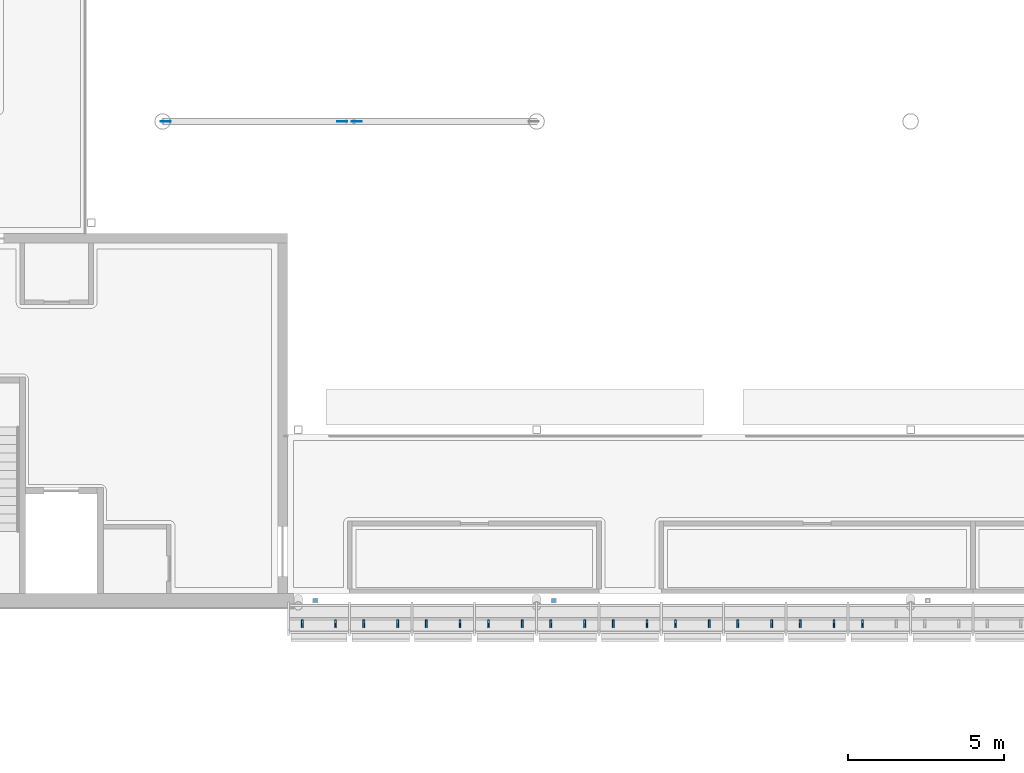
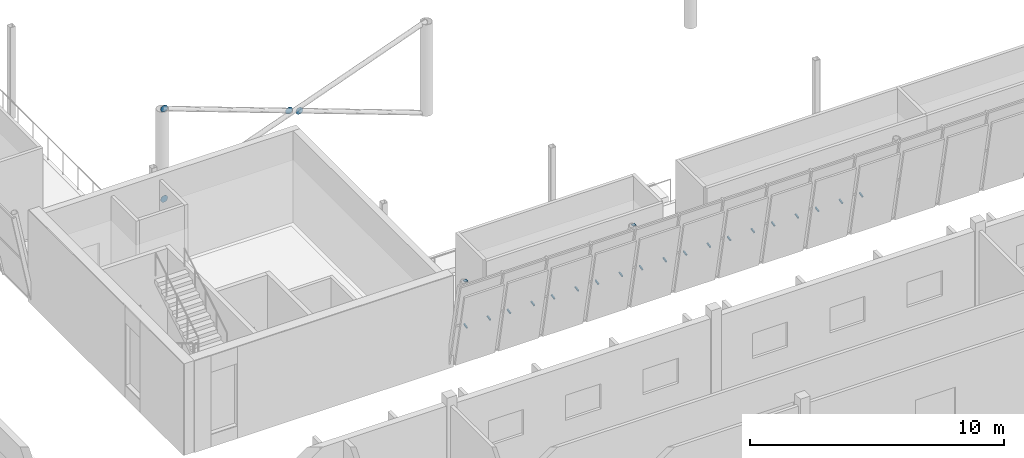
# One storey, part 81 of 115: 25 discrete accessories.
"""IFC4 building model written with IfcOpenShell, lengths in metres."""

from ifc_helpers import new_model, si_unit, direction, frame, origin, origin_2d, place, context, subcontext, project, spatial, rectangle, circle, extrude, material, layer, layer_set, type_object, element, save


model = new_model("IFC4")

# Units and contexts
model_context = context("Model", 3, precision=1e-05, world=origin(), true_north=direction((0.0, 1.0)))
body_context = subcontext(model_context, "Body", "Model", "MODEL_VIEW")
ifc_project = project(units=[si_unit("LENGTHUNIT", "METRE"), si_unit("AREAUNIT", "SQUARE_METRE"), si_unit("VOLUMEUNIT", "CUBIC_METRE"), si_unit("PLANEANGLEUNIT", "RADIAN"), si_unit("MASSUNIT", "GRAM", prefix="KILO")], contexts=[model_context])

# Site, building, storey
site_placement = place(None, origin())
site = spatial("IfcSite", under=ifc_project, at=site_placement, CompositionType="ELEMENT")
building_placement = place(site_placement, origin())
building = spatial("IfcBuilding", under=site, at=building_placement, Name="Windward Yard Aquatics Centre", CompositionType="ELEMENT")
storey_placement = place(building_placement, frame((0.0, 0.0, 5.0)))
storey = spatial("IfcBuildingStorey", under=building, at=storey_placement, Name="L01", CompositionType="ELEMENT", Elevation=5.0)

# Discrete accessories
ifc_material = material(Name="Steel S355", Category="steel")
ifc_layer_1 = layer(ifc_material, 0.010009765625)
ifc_layer_set_1 = layer_set([ifc_layer_1], Name="End cap plate 10 mm RHS152.4x152.4x12.7")
discrete_accessory_type_1 = type_object("IfcDiscreteAccessoryType", Name="End cap plate 10 mm RHS152.4x152.4x12.7", PredefinedType="USERDEFINED", material=ifc_layer_set_1)
for number, where, z_axis, x_axis, name in (
    (1, (72.550048828125, 26.22509765625, 3.742919921875), (0.0, 0.0, 1.0), (1.0, 0.0, 0.0), "End cap"),
    (2, (64.89990234375, 26.22509765625, 3.742919921875), (0.0, 0.0, 1.0), (1.0, 0.0, 0.0), "End cap"),
):
    element("IfcDiscreteAccessory", number, at=place(storey_placement, frame(where, z_axis=z_axis, x_axis=x_axis)), inside=storey, type_object=discrete_accessory_type_1, Name=name, ObjectType="END CAP", PredefinedType="USERDEFINED", context=body_context, shape_type="SweptSolid", body=[
        extrude(rectangle(XDim=0.15234375, YDim=0.15234375, at=origin_2d()), origin(), (0.0, 0.0, 1.0), 0.010009765625),
    ])
ifc_layer_2 = layer(ifc_material, 0.011962890625)
ifc_layer_set_2 = layer_set([ifc_layer_2], Name="Gusset plate 320 mm disc 12 mm")
discrete_accessory_type_2 = type_object("IfcDiscreteAccessoryType", Name="Gusset plate 320 mm disc 12 mm", PredefinedType="USERDEFINED", material=ifc_layer_set_2)
for number, where, z_axis, x_axis, name in (
    (3, (60.093994140625, 41.593994140625, 0.034423828125), (0.0, 1.0, 0.0), (-1.0, 0.0, 0.0), "Gusset plate"),
    (4, (60.093994140625, 41.593994140625, 4.365478515625), (0.0, 1.0, 0.0), (-1.0, 0.0, 0.0), "Gusset plate"),
    (5, (65.765869140625, 41.593994140625, 2.285888671875), (0.0, 1.0, 0.0), (-1.0, 0.0, 0.0), "Gusset plate"),
    (6, (66.234130859375, 41.593994140625, 2.114013671875), (0.0, 1.0, 0.0), (-1.0, 0.0, 0.0), "Gusset plate"),
):
    element("IfcDiscreteAccessory", number, at=place(storey_placement, frame(where, z_axis=z_axis, x_axis=x_axis)), inside=storey, type_object=discrete_accessory_type_2, Name=name, ObjectType="GUSSET PLATE", PredefinedType="USERDEFINED", context=body_context, shape_type="SweptSolid", body=[
        extrude(circle(Radius=0.159912109375, at=origin_2d()), origin(), (0.0, 0.0, 1.0), 0.011962890625),
    ])
for number, where, z_axis, x_axis, name in (
    (7, (64.4833984375, 25.6123046875, 2.193603515625), (0.0, -0.979936662274, -0.199309151649), (1.0, 0.0, 0.0), "Louvre bracket S L01 A1.1"),
    (8, (65.548828125, 25.6123046875, 2.193603515625), (0.0, -0.979936662274, -0.199309151649), (1.0, 0.0, 0.0), "Louvre bracket S L01 A1.2"),
    (9, (66.457763671875, 25.6123046875, 2.193603515625), (0.0, -0.979936662274, -0.199309151649), (1.0, 0.0, 0.0), "Louvre bracket S L01 A2.1"),
    (10, (67.541259765625, 25.6123046875, 2.193603515625), (0.0, -0.979936662274, -0.199309151649), (1.0, 0.0, 0.0), "Louvre bracket S L01 A2.2"),
    (11, (68.45751953125, 25.6123046875, 2.193603515625), (0.0, -0.979936662274, -0.199309151649), (1.0, 0.0, 0.0), "Louvre bracket S L01 A3.1"),
    (12, (69.541015625, 25.6123046875, 2.193603515625), (0.0, -0.979936662274, -0.199309151649), (1.0, 0.0, 0.0), "Louvre bracket S L01 A3.2"),
    (13, (70.457275390625, 25.6123046875, 2.193603515625), (0.0, -0.979936662274, -0.199309151649), (1.0, 0.0, 0.0), "Louvre bracket S L01 A4.1"),
    (14, (71.540771484375, 25.6123046875, 2.193603515625), (0.0, -0.979936662274, -0.199309151649), (1.0, 0.0, 0.0), "Louvre bracket S L01 A4.2"),
    (15, (72.45703125, 25.6123046875, 2.193603515625), (0.0, -0.979936662274, -0.199309151649), (1.0, 0.0, 0.0), "Louvre bracket S L01 A5.1"),
    (16, (73.54052734375, 25.6123046875, 2.193603515625), (0.0, -0.979936662274, -0.199309151649), (1.0, 0.0, 0.0), "Louvre bracket S L01 A5.2"),
    (17, (74.456787109375, 25.6123046875, 2.193603515625), (0.0, -0.979936662274, -0.199309151649), (1.0, 0.0, 0.0), "Louvre bracket S L01 A6.1"),
    (18, (75.540283203125, 25.6123046875, 2.193603515625), (0.0, -0.979936662274, -0.199309151649), (1.0, 0.0, 0.0), "Louvre bracket S L01 A6.2"),
    (19, (76.45654296875, 25.6123046875, 2.193603515625), (0.0, -0.979936662274, -0.199309151649), (1.0, 0.0, 0.0), "Louvre bracket S L01 A7.1"),
    (20, (77.5400390625, 25.6123046875, 2.193603515625), (0.0, -0.979936662274, -0.199309151649), (1.0, 0.0, 0.0), "Louvre bracket S L01 A7.2"),
    (21, (78.456298828125, 25.6123046875, 2.193603515625), (0.0, -0.979936662274, -0.199309151649), (1.0, 0.0, 0.0), "Louvre bracket S L01 A8.1"),
    (22, (79.539794921875, 25.6123046875, 2.193603515625), (0.0, -0.979936662274, -0.199309151649), (1.0, 0.0, 0.0), "Louvre bracket S L01 A8.2"),
    (23, (80.4560546875, 25.6123046875, 2.193603515625), (0.0, -0.979936662274, -0.199309151649), (1.0, 0.0, 0.0), "Louvre bracket S L01 A9.1"),
    (24, (81.53955078125, 25.6123046875, 2.193603515625), (0.0, -0.979936662274, -0.199309151649), (1.0, 0.0, 0.0), "Louvre bracket S L01 A9.2"),
    (25, (82.455810546875, 25.6123046875, 2.193603515625), (0.0, -0.979936662274, -0.199309151649), (1.0, 0.0, 0.0), "Louvre bracket S L01 A10.1"),
):
    element("IfcDiscreteAccessory", number, at=place(storey_placement, frame(where, z_axis=z_axis, x_axis=x_axis)), inside=storey, Name=name, PredefinedType="BRACKET", context=body_context, shape_type="SweptSolid", body=[
        extrude(rectangle(XDim=0.06005859375, YDim=0.06005859375, at=origin_2d()), origin(), (0.0, 0.0, 1.0), 0.25),
    ])

save(model, "model.ifc")
